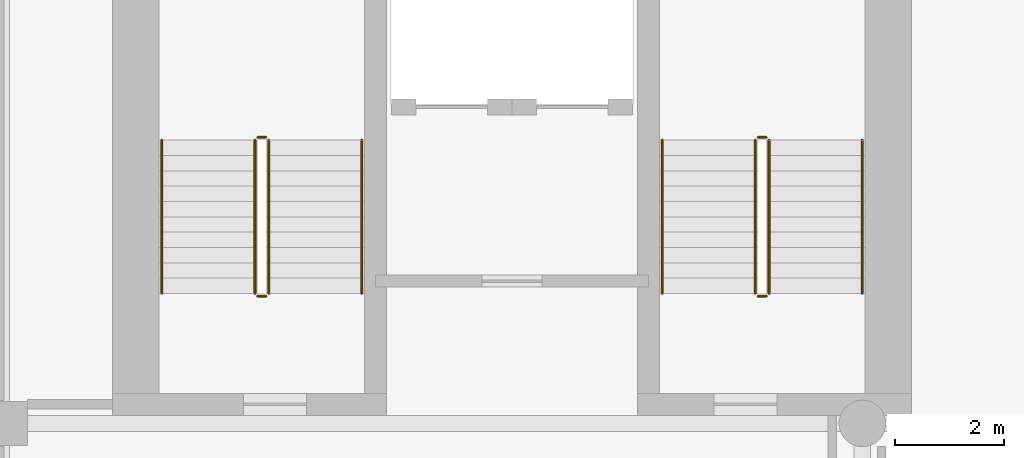
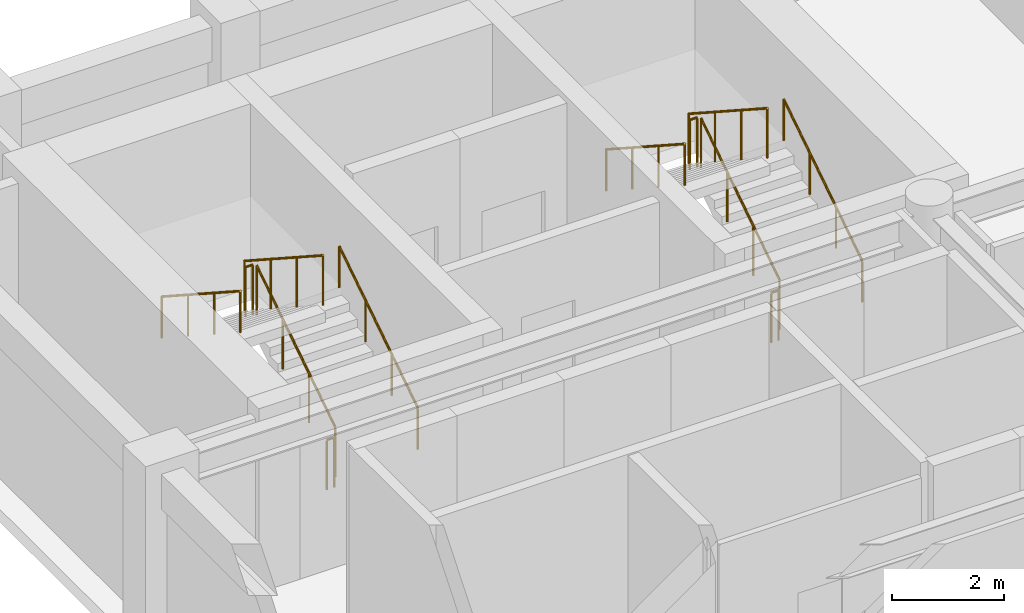
# One storey, part 7 of 8: 12 railings.
"""IFC4 building model written with IfcOpenShell, lengths in metres."""

from ifc_helpers import new_model, si_unit, direction, frame, origin, origin_2d, place, context, subcontext, project, spatial, circle, extrude, material, type_object, element, save


model = new_model("IFC4")

# Units and contexts
model_context = context("Model", 3, precision=1e-05, world=origin(), true_north=direction((0.0, 1.0)))
body_context = subcontext(model_context, "Body", "Model", "MODEL_VIEW")
ifc_project = project(units=[si_unit("LENGTHUNIT", "METRE"), si_unit("AREAUNIT", "SQUARE_METRE"), si_unit("VOLUMEUNIT", "CUBIC_METRE"), si_unit("PLANEANGLEUNIT", "RADIAN"), si_unit("MASSUNIT", "GRAM", prefix="KILO")], contexts=[model_context])

# Site, building, storey
site_placement = place(None, origin())
site = spatial("IfcSite", under=ifc_project, at=site_placement, CompositionType="ELEMENT")
building_placement = place(site_placement, origin())
building = spatial("IfcBuilding", under=site, at=building_placement, Name="Sulina Concourse Tower", CompositionType="ELEMENT")
storey_placement = place(building_placement, frame((0.0, 0.0, 170.60009765625)))
storey = spatial("IfcBuildingStorey", under=building, at=storey_placement, Name="L41", CompositionType="ELEMENT", Elevation=170.60009765625)

# Railings
ifc_material_1 = material(Name="Galvanised steel railing", Category="steel")
railing_type_1 = type_object("IfcRailingType", Name="Core Stair Steel Guardrail 1150mm", PredefinedType="GUARDRAIL", material=ifc_material_1)
railing_1_placement = place(storey_placement, frame((5.554931640625, 36.375, 0.181640625)))
element("IfcRailing", 1, at=railing_1_placement, inside=storey, type_object=railing_type_1, Name="L41 ST-1 stair guard 1", PredefinedType="GUARDRAIL", context=body_context, shape_type="SweptSolid", body=[
    extrude(circle(Radius=0.02392578125, at=origin_2d()), frame((0.0, 0.0, 1.076171875), z_axis=(0.0, 0.838672427954, 0.544636170843), x_axis=(-1.0, 0.0, 0.0)), (0.0, 0.0, 1.0), 3.338623046875),
    extrude(circle(Radius=0.02099609375, at=origin_2d()), origin(), (0.0, 0.0, 1.0), 1.052001953125),
    extrude(circle(Radius=0.02099609375, at=origin_2d()), frame((0.0, 0.933349609375, 0.606201171875)), (0.0, 0.0, 1.0), 1.052001953125),
    extrude(circle(Radius=0.02099609375, at=origin_2d()), frame((0.0, 1.86669921875, 1.212158203125)), (0.0, 0.0, 1.0), 1.052001953125),
    extrude(circle(Radius=0.02099609375, at=origin_2d()), frame((0.0, 2.800048828125, 1.818359375)), (0.0, 0.0, 1.0), 1.052001953125),
])
railing_2_placement = place(storey_placement, frame((5.5048828125, 39.22509765625, 2.0)))
element("IfcRailing", 2, at=railing_2_placement, inside=storey, type_object=railing_type_1, Name="L41 ST-1 stair guard 2", PredefinedType="GUARDRAIL", context=body_context, shape_type="SweptSolid", body=[
    extrude(circle(Radius=0.02392578125, at=origin_2d()), frame((0.0, 0.0, 1.076171875), z_axis=(-1.0, 0.0, 0.0), x_axis=(0.0, -1.0, 0.0)), (0.0, 0.0, 1.0), 0.14990234375),
    extrude(circle(Radius=0.02099609375, at=origin_2d()), origin(), (0.0, 0.0, 1.0), 1.052001953125),
    extrude(circle(Radius=0.02099609375, at=origin_2d()), frame((-0.14990234375, 0.0, 0.0)), (0.0, 0.0, 1.0), 1.052001953125),
])
railing_3_placement = place(storey_placement, frame((5.304931640625, 39.175048828125, 2.181640625)))
element("IfcRailing", 3, at=railing_3_placement, inside=storey, type_object=railing_type_1, Name="L41 ST-1 stair guard 3", PredefinedType="GUARDRAIL", context=body_context, shape_type="SweptSolid", body=[
    extrude(circle(Radius=0.02392578125, at=origin_2d()), frame((0.0, 0.0, 1.076171875), z_axis=(0.0, -0.838672427954, 0.544636170843), x_axis=(1.0, 0.0, 0.0)), (0.0, 0.0, 1.0), 3.338623046875),
    extrude(circle(Radius=0.02099609375, at=origin_2d()), origin(), (0.0, 0.0, 1.0), 1.052001953125),
    extrude(circle(Radius=0.02099609375, at=origin_2d()), frame((0.0, -0.933349609375, 0.606201171875)), (0.0, 0.0, 1.0), 1.052001953125),
    extrude(circle(Radius=0.02099609375, at=origin_2d()), frame((0.0, -1.86669921875, 1.212158203125)), (0.0, 0.0, 1.0), 1.052001953125),
    extrude(circle(Radius=0.02099609375, at=origin_2d()), frame((0.0, -2.800048828125, 1.818359375)), (0.0, 0.0, 1.0), 1.052001953125),
])
railing_4_placement = place(storey_placement, frame((5.5048828125, 36.324951171875, 0.0)))
element("IfcRailing", 4, at=railing_4_placement, inside=storey, type_object=railing_type_1, Name="L41 ST-1 stair guard 4", PredefinedType="GUARDRAIL", context=body_context, shape_type="SweptSolid", body=[
    extrude(circle(Radius=0.02392578125, at=origin_2d()), frame((0.0, 0.0, 1.076171875), z_axis=(-1.0, 0.0, 0.0), x_axis=(0.0, -1.0, 0.0)), (0.0, 0.0, 1.0), 0.14990234375),
    extrude(circle(Radius=0.02099609375, at=origin_2d()), origin(), (0.0, 0.0, 1.0), 1.052001953125),
    extrude(circle(Radius=0.02099609375, at=origin_2d()), frame((-0.14990234375, 0.0, 0.0)), (0.0, 0.0, 1.0), 1.052001953125),
])
railing_5_placement = place(storey_placement, frame((14.695068359375, 36.375, 0.181640625)))
element("IfcRailing", 5, at=railing_5_placement, inside=storey, type_object=railing_type_1, Name="L41 ST-2 stair guard 1", PredefinedType="GUARDRAIL", context=body_context, shape_type="SweptSolid", body=[
    extrude(circle(Radius=0.02392578125, at=origin_2d()), frame((0.0, 0.0, 1.076171875), z_axis=(0.0, 0.838672427954, 0.544636170843), x_axis=(-1.0, 0.0, 0.0)), (0.0, 0.0, 1.0), 3.338623046875),
    extrude(circle(Radius=0.02099609375, at=origin_2d()), origin(), (0.0, 0.0, 1.0), 1.052001953125),
    extrude(circle(Radius=0.02099609375, at=origin_2d()), frame((0.0, 0.933349609375, 0.606201171875)), (0.0, 0.0, 1.0), 1.052001953125),
    extrude(circle(Radius=0.02099609375, at=origin_2d()), frame((0.0, 1.86669921875, 1.212158203125)), (0.0, 0.0, 1.0), 1.052001953125),
    extrude(circle(Radius=0.02099609375, at=origin_2d()), frame((0.0, 2.800048828125, 1.818359375)), (0.0, 0.0, 1.0), 1.052001953125),
])
railing_6_placement = place(storey_placement, frame((14.64501953125, 39.22509765625, 2.0)))
element("IfcRailing", 6, at=railing_6_placement, inside=storey, type_object=railing_type_1, Name="L41 ST-2 stair guard 2", PredefinedType="GUARDRAIL", context=body_context, shape_type="SweptSolid", body=[
    extrude(circle(Radius=0.02392578125, at=origin_2d()), frame((0.0, 0.0, 1.076171875), z_axis=(-1.0, 0.0, 0.0), x_axis=(0.0, -1.0, 0.0)), (0.0, 0.0, 1.0), 0.14990234375),
    extrude(circle(Radius=0.02099609375, at=origin_2d()), origin(), (0.0, 0.0, 1.0), 1.052001953125),
    extrude(circle(Radius=0.02099609375, at=origin_2d()), frame((-0.14990234375, 0.0, 0.0)), (0.0, 0.0, 1.0), 1.052001953125),
])
railing_7_placement = place(storey_placement, frame((14.445068359375, 39.175048828125, 2.181640625)))
element("IfcRailing", 7, at=railing_7_placement, inside=storey, type_object=railing_type_1, Name="L41 ST-2 stair guard 3", PredefinedType="GUARDRAIL", context=body_context, shape_type="SweptSolid", body=[
    extrude(circle(Radius=0.02392578125, at=origin_2d()), frame((0.0, 0.0, 1.076171875), z_axis=(0.0, -0.838672427954, 0.544636170843), x_axis=(1.0, 0.0, 0.0)), (0.0, 0.0, 1.0), 3.338623046875),
    extrude(circle(Radius=0.02099609375, at=origin_2d()), origin(), (0.0, 0.0, 1.0), 1.052001953125),
    extrude(circle(Radius=0.02099609375, at=origin_2d()), frame((0.0, -0.933349609375, 0.606201171875)), (0.0, 0.0, 1.0), 1.052001953125),
    extrude(circle(Radius=0.02099609375, at=origin_2d()), frame((0.0, -1.86669921875, 1.212158203125)), (0.0, 0.0, 1.0), 1.052001953125),
    extrude(circle(Radius=0.02099609375, at=origin_2d()), frame((0.0, -2.800048828125, 1.818359375)), (0.0, 0.0, 1.0), 1.052001953125),
])
railing_8_placement = place(storey_placement, frame((14.64501953125, 36.324951171875, 0.0)))
element("IfcRailing", 8, at=railing_8_placement, inside=storey, type_object=railing_type_1, Name="L41 ST-2 stair guard 4", PredefinedType="GUARDRAIL", context=body_context, shape_type="SweptSolid", body=[
    extrude(circle(Radius=0.02392578125, at=origin_2d()), frame((0.0, 0.0, 1.076171875), z_axis=(-1.0, 0.0, 0.0), x_axis=(0.0, -1.0, 0.0)), (0.0, 0.0, 1.0), 0.14990234375),
    extrude(circle(Radius=0.02099609375, at=origin_2d()), origin(), (0.0, 0.0, 1.0), 1.052001953125),
    extrude(circle(Radius=0.02099609375, at=origin_2d()), frame((-0.14990234375, 0.0, 0.0)), (0.0, 0.0, 1.0), 1.052001953125),
])
ifc_material_2 = material(Name="Galvanised steel railing", Category="steel")
railing_type_2 = type_object("IfcRailingType", Name="Stair Wall Steel Handrail 920mm", PredefinedType="HANDRAIL", material=ifc_material_2)
railing_9_placement = place(storey_placement, frame((7.2548828125, 36.375, 0.181640625)))
element("IfcRailing", 9, at=railing_9_placement, inside=storey, type_object=railing_type_2, Name="L41 ST-1 stair handrail 1", PredefinedType="HANDRAIL", context=body_context, shape_type="SweptSolid", body=[
    extrude(circle(Radius=0.02392578125, at=origin_2d()), frame((0.0, 0.0, 0.89599609375), z_axis=(0.0, 0.838672427954, 0.544636170843), x_axis=(-1.0, 0.0, 0.0)), (0.0, 0.0, 1.0), 3.338623046875),
    extrude(circle(Radius=0.02099609375, at=origin_2d()), origin(), (0.0, 0.0, 1.0), 0.871826171875),
    extrude(circle(Radius=0.02099609375, at=origin_2d()), frame((0.0, 0.933349609375, 0.606201171875)), (0.0, 0.0, 1.0), 0.871826171875),
    extrude(circle(Radius=0.02099609375, at=origin_2d()), frame((0.0, 1.86669921875, 1.212158203125)), (0.0, 0.0, 1.0), 0.871826171875),
    extrude(circle(Radius=0.02099609375, at=origin_2d()), frame((0.0, 2.800048828125, 1.818359375)), (0.0, 0.0, 1.0), 0.871826171875),
])
railing_10_placement = place(storey_placement, frame((3.60498046875, 39.175048828125, 2.181640625)))
element("IfcRailing", 10, at=railing_10_placement, inside=storey, type_object=railing_type_2, Name="L41 ST-1 stair handrail 2", PredefinedType="HANDRAIL", context=body_context, shape_type="SweptSolid", body=[
    extrude(circle(Radius=0.02392578125, at=origin_2d()), frame((0.0, 0.0, 0.89599609375), z_axis=(0.0, -0.838672427954, 0.544636170843), x_axis=(1.0, 0.0, 0.0)), (0.0, 0.0, 1.0), 3.338623046875),
    extrude(circle(Radius=0.02099609375, at=origin_2d()), origin(), (0.0, 0.0, 1.0), 0.871826171875),
    extrude(circle(Radius=0.02099609375, at=origin_2d()), frame((0.0, -0.933349609375, 0.606201171875)), (0.0, 0.0, 1.0), 0.871826171875),
    extrude(circle(Radius=0.02099609375, at=origin_2d()), frame((0.0, -1.86669921875, 1.212158203125)), (0.0, 0.0, 1.0), 0.871826171875),
    extrude(circle(Radius=0.02099609375, at=origin_2d()), frame((0.0, -2.800048828125, 1.818359375)), (0.0, 0.0, 1.0), 0.871826171875),
])
railing_11_placement = place(storey_placement, frame((16.39501953125, 36.375, 0.181640625)))
element("IfcRailing", 11, at=railing_11_placement, inside=storey, type_object=railing_type_2, Name="L41 ST-2 stair handrail 1", PredefinedType="HANDRAIL", context=body_context, shape_type="SweptSolid", body=[
    extrude(circle(Radius=0.02392578125, at=origin_2d()), frame((0.0, 0.0, 0.89599609375), z_axis=(0.0, 0.838672427954, 0.544636170843), x_axis=(-1.0, 0.0, 0.0)), (0.0, 0.0, 1.0), 3.338623046875),
    extrude(circle(Radius=0.02099609375, at=origin_2d()), origin(), (0.0, 0.0, 1.0), 0.871826171875),
    extrude(circle(Radius=0.02099609375, at=origin_2d()), frame((0.0, 0.933349609375, 0.606201171875)), (0.0, 0.0, 1.0), 0.871826171875),
    extrude(circle(Radius=0.02099609375, at=origin_2d()), frame((0.0, 1.86669921875, 1.212158203125)), (0.0, 0.0, 1.0), 0.871826171875),
    extrude(circle(Radius=0.02099609375, at=origin_2d()), frame((0.0, 2.800048828125, 1.818359375)), (0.0, 0.0, 1.0), 0.871826171875),
])
railing_12_placement = place(storey_placement, frame((12.7451171875, 39.175048828125, 2.181640625)))
element("IfcRailing", 12, at=railing_12_placement, inside=storey, type_object=railing_type_2, Name="L41 ST-2 stair handrail 2", PredefinedType="HANDRAIL", context=body_context, shape_type="SweptSolid", body=[
    extrude(circle(Radius=0.02392578125, at=origin_2d()), frame((0.0, 0.0, 0.89599609375), z_axis=(0.0, -0.838672427954, 0.544636170843), x_axis=(1.0, 0.0, 0.0)), (0.0, 0.0, 1.0), 3.338623046875),
    extrude(circle(Radius=0.02099609375, at=origin_2d()), origin(), (0.0, 0.0, 1.0), 0.871826171875),
    extrude(circle(Radius=0.02099609375, at=origin_2d()), frame((0.0, -0.933349609375, 0.606201171875)), (0.0, 0.0, 1.0), 0.871826171875),
    extrude(circle(Radius=0.02099609375, at=origin_2d()), frame((0.0, -1.86669921875, 1.212158203125)), (0.0, 0.0, 1.0), 0.871826171875),
    extrude(circle(Radius=0.02099609375, at=origin_2d()), frame((0.0, -2.800048828125, 1.818359375)), (0.0, 0.0, 1.0), 0.871826171875),
])

save(model, "model.ifc")
